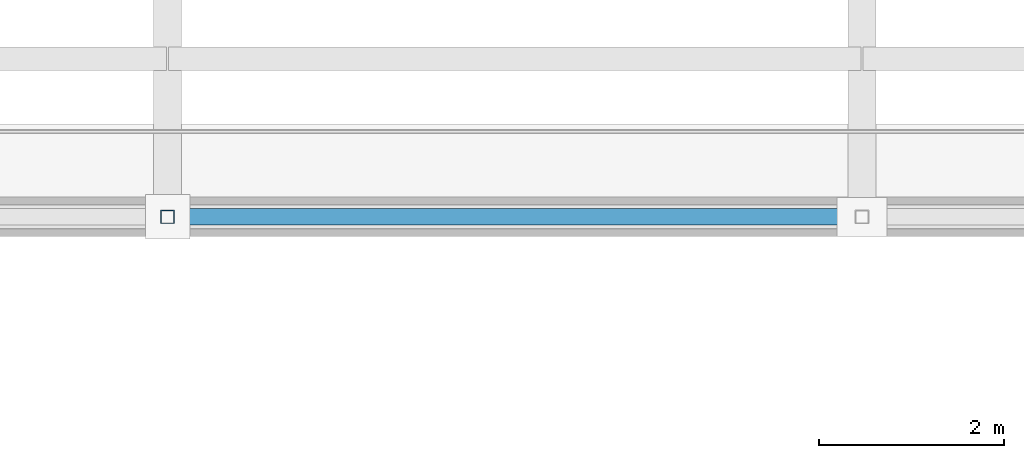
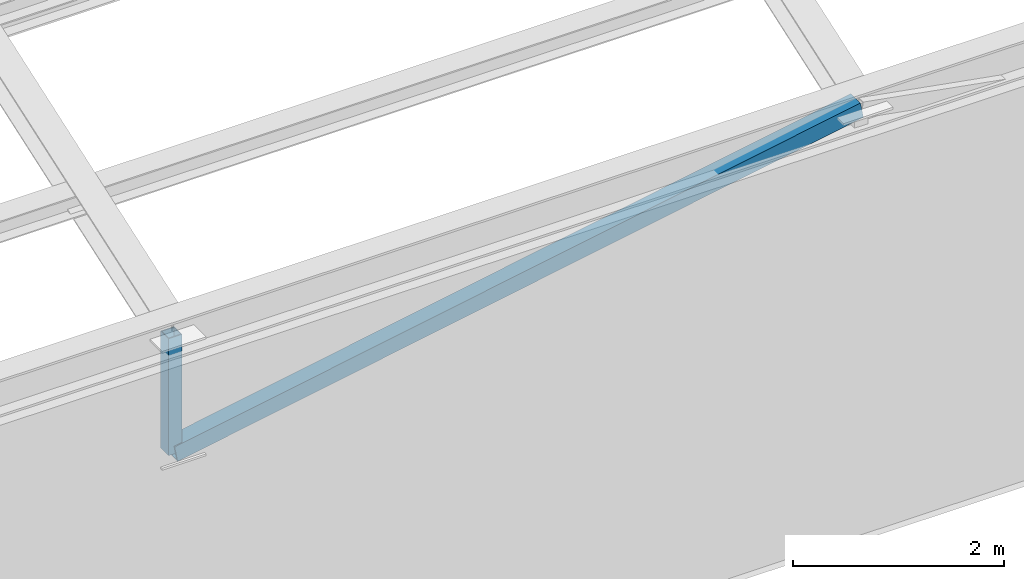
# One storey, part 20 of 76: 2 members.
"""IFC4 building model written with IfcOpenShell, lengths in metres."""

from ifc_helpers import new_model, si_unit, direction, frame, origin, origin_2d, place, context, subcontext, project, spatial, hollow_rectangle, extrude, material, material_profile, profile_set, type_object, element, save


model = new_model("IFC4")

# Units and contexts
model_context = context("Model", 3, precision=1e-05, world=origin(), true_north=direction((0.0, 1.0)))
body_context = subcontext(model_context, "Body", "Model", "MODEL_VIEW")
ifc_project = project(units=[si_unit("LENGTHUNIT", "METRE"), si_unit("AREAUNIT", "SQUARE_METRE"), si_unit("VOLUMEUNIT", "CUBIC_METRE"), si_unit("PLANEANGLEUNIT", "RADIAN"), si_unit("MASSUNIT", "GRAM", prefix="KILO")], contexts=[model_context])

# Site, building, storey
site_placement = place(None, origin())
site = spatial("IfcSite", under=ifc_project, at=site_placement, CompositionType="ELEMENT")
building_placement = place(site_placement, origin())
building = spatial("IfcBuilding", under=site, at=building_placement, Name="Cinchona Park Media Centre", CompositionType="ELEMENT")
storey_placement = place(building_placement, frame((0.0, 0.0, 15.60009765625)))
storey = spatial("IfcBuildingStorey", under=building, at=storey_placement, Name="L03", CompositionType="ELEMENT", Elevation=15.60009765625)

# Members
ifc_material_1 = material(Name="Steel S355", Category="steel")
ifc_material_profile_1 = material_profile(ifc_material_1, hollow_rectangle(XDim=0.14990234375, YDim=0.14990234375, WallThickness=0.010009765625, at=origin_2d()), Name="150X150X10SHS")
ifc_profile_set_1 = profile_set([ifc_material_profile_1], Name="Steel S355")
member_type_1 = type_object("IfcMemberType", Name="MEMBER-TS03-SHS150X150X10", PredefinedType="STRUT", material=ifc_profile_set_1)
member_1_placement = place(storey_placement, frame((30.3798828125, 102.0, 3.449951171875), z_axis=(0.0, 0.0, 1.0), x_axis=(1.0, 0.0, 0.0)))
element("IfcMember", 1, at=member_1_placement, inside=storey, type_object=member_type_1, Name="ROOF TRUSS Vertical Strut TN2", PredefinedType="STRUT", context=body_context, shape_type="SweptSolid", body=[
    extrude(hollow_rectangle(XDim=0.14990234375, YDim=0.14990234375, WallThickness=0.010009765625, at=origin_2d()), origin(), (0.0, 0.0, 1.0), 1.349853515625),
])
ifc_material_2 = material(Name="Steel S355", Category="steel")
ifc_material_profile_2 = material_profile(ifc_material_2, hollow_rectangle(XDim=0.179931640625, YDim=0.179931640625, WallThickness=0.012451171875, at=origin_2d()), Name="180X180X12.5SHS")
ifc_profile_set_2 = profile_set([ifc_material_profile_2], Name="Steel S355")
member_type_2 = type_object("IfcMemberType", Name="MEMBER-TS04-SHS180X180X12.5", PredefinedType="STRUT", material=ifc_profile_set_2)
member_2_placement = place(storey_placement, frame((30.3798828125, 102.0, 3.449951171875), z_axis=(0.984146390166, 0.0, 0.177358063599), x_axis=(0.0, 1.0, 0.0)))
element("IfcMember", 2, at=member_2_placement, inside=storey, type_object=member_type_2, Name="ROOF TRUSS Web Diagonal TN3", PredefinedType="STRUT", context=body_context, shape_type="SweptSolid", body=[
    extrude(hollow_rectangle(XDim=0.179931640625, YDim=0.179931640625, WallThickness=0.012451171875, at=origin_2d()), origin(), (0.0, 0.0, 1.0), 7.61083984375),
])

save(model, "model.ifc")
